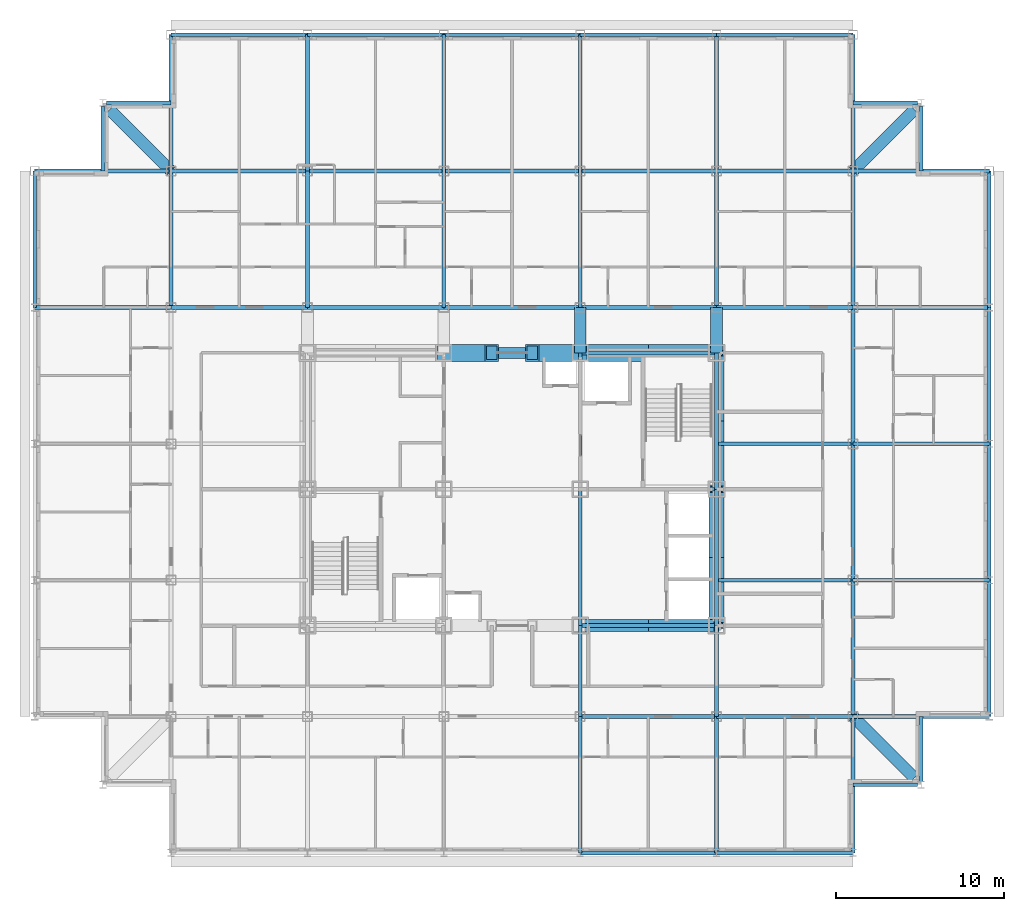
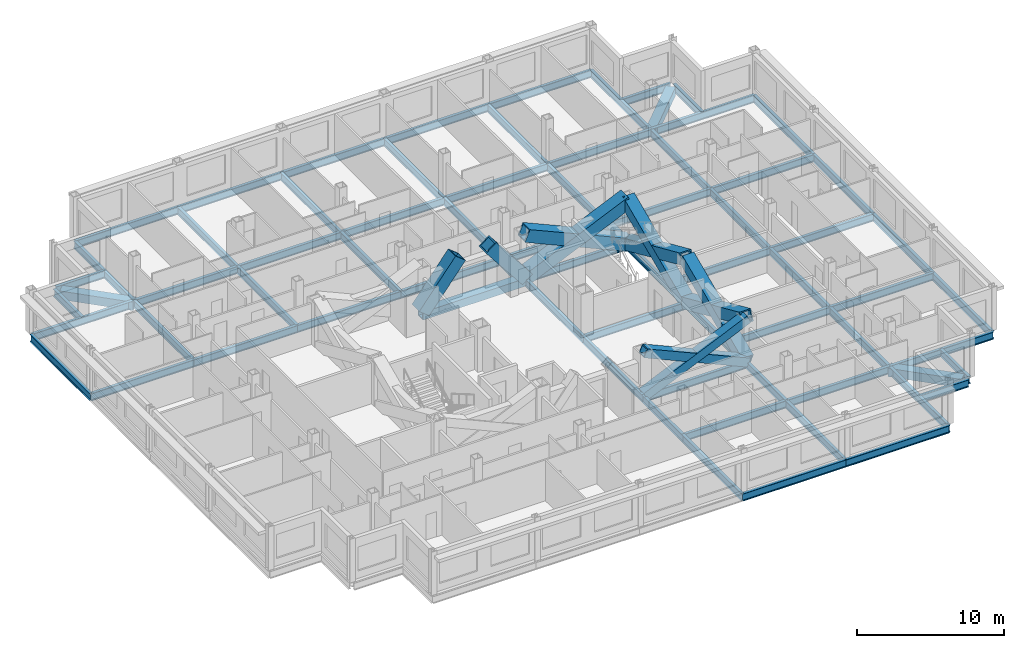
# One storey, part 2 of 12: 72 beams, 10 members.
"""IFC4 building model written with IfcOpenShell, lengths in metres."""

from ifc_helpers import new_model, si_unit, direction, frame, origin, origin_2d, place, context, subcontext, project, spatial, hollow_rectangle, i_section, extrude, material, material_profile, profile_set, type_object, element, save


model = new_model("IFC4")

# Units and contexts
model_context = context("Model", 3, precision=1e-05, world=origin(), true_north=direction((0.0, 1.0)))
body_context = subcontext(model_context, "Body", "Model", "MODEL_VIEW")
ifc_project = project(units=[si_unit("LENGTHUNIT", "METRE"), si_unit("AREAUNIT", "SQUARE_METRE"), si_unit("VOLUMEUNIT", "CUBIC_METRE"), si_unit("PLANEANGLEUNIT", "RADIAN"), si_unit("MASSUNIT", "GRAM", prefix="KILO")], contexts=[model_context])

# Site, building, storey
site_placement = place(None, origin())
site = spatial("IfcSite", under=ifc_project, at=site_placement, CompositionType="ELEMENT")
building_placement = place(site_placement, origin())
building = spatial("IfcBuilding", under=site, at=building_placement, Name="Kopane Lantern Tower", CompositionType="ELEMENT")
storey_placement = place(building_placement, frame((0.0, 0.0, 199.199951171875)))
storey = spatial("IfcBuildingStorey", under=building, at=storey_placement, Name="L51", CompositionType="ELEMENT", Elevation=199.199951171875)

# Members
ifc_material_1 = material(Name="Steel S355JR", Category="steel")
ifc_material_profile_1 = material_profile(ifc_material_1, hollow_rectangle(XDim=1.0, YDim=1.0, WallThickness=0.10009765625, at=origin_2d()), Name="BOX 1000x1000x100")
ifc_profile_set_1 = profile_set([ifc_material_profile_1], Name="Steel S355JR")
member_type_1 = type_object("IfcMemberType", Name="BRACE BOX 1000x1000x100", PredefinedType="BRACE", material=ifc_profile_set_1)
for number, where, z_axis, x_axis, name in (
    (1, (24.300048828125, 40.5, -0.2099609375), (0.620672981644, 0.0, 0.784069544018), (0.0, 1.0, 0.0), "Core brace L51"),
    (2, (32.39990234375, 40.5, -0.2099609375), (-0.620672981644, 0.0, 0.784069544018), (0.0, -1.0, 0.0), "Core brace L51"),
):
    element("IfcMember", number, at=place(storey_placement, frame(where, z_axis=z_axis, x_axis=x_axis)), inside=storey, type_object=member_type_1, Name=name, PredefinedType="BRACE", context=body_context, shape_type="SweptSolid", body=[
        extrude(hollow_rectangle(XDim=1.0, YDim=1.0, WallThickness=0.10009765625, at=origin_2d()), origin(), (0.0, 0.0, 1.0), 4.591552734375),
    ])
for number, where, z_axis, x_axis, name in (
    (3, (32.39990234375, 40.5, -0.2099609375), (0.913809277049, 0.0, 0.40614357705), (0.0, 1.0, 0.0), "Core brace L51"),
    (4, (40.5, 40.5, -0.2099609375), (-0.913809277049, 0.0, 0.40614357705), (0.0, -1.0, 0.0), "Core brace L51"),
):
    element("IfcMember", number, at=place(storey_placement, frame(where, z_axis=z_axis, x_axis=x_axis)), inside=storey, type_object=member_type_1, Name=name, PredefinedType="BRACE", context=body_context, shape_type="SweptSolid", body=[
        extrude(hollow_rectangle(XDim=1.0, YDim=1.0, WallThickness=0.10009765625, at=origin_2d()), origin(), (0.0, 0.0, 1.0), 8.864013671875),
    ])
ifc_material_2 = material(Name="Steel S355JR", Category="steel")
ifc_material_profile_2 = material_profile(ifc_material_2, hollow_rectangle(XDim=0.699951171875, YDim=0.699951171875, WallThickness=0.06005859375, at=origin_2d()), Name="BOX 700x700x60")
ifc_profile_set_2 = profile_set([ifc_material_profile_2], Name="Steel S355JR")
member_type_2 = type_object("IfcMemberType", Name="BRACE BOX 700x700x60", PredefinedType="BRACE", material=ifc_profile_set_2)
for number, where, z_axis, x_axis, name in (
    (5, (32.39990234375, 24.300048828125, -0.2099609375), (0.913809277049, 0.0, 0.40614357705), (0.0, 1.0, 0.0), "Core brace L51"),
    (6, (40.5, 24.300048828125, -0.2099609375), (-0.913809277049, 0.0, 0.40614357705), (0.0, -1.0, 0.0), "Core brace L51"),
):
    element("IfcMember", number, at=place(storey_placement, frame(where, z_axis=z_axis, x_axis=x_axis)), inside=storey, type_object=member_type_2, Name=name, PredefinedType="BRACE", context=body_context, shape_type="SweptSolid", body=[
        extrude(hollow_rectangle(XDim=0.699951171875, YDim=0.699951171875, WallThickness=0.06005859375, at=origin_2d()), origin(), (0.0, 0.0, 1.0), 8.864013671875),
    ])
ifc_material_3 = material(Name="Steel S355JR", Category="steel")
ifc_material_profile_3 = material_profile(ifc_material_3, hollow_rectangle(XDim=0.89990234375, YDim=0.89990234375, WallThickness=0.090087890625, at=origin_2d()), Name="BOX 900x900x90")
ifc_profile_set_3 = profile_set([ifc_material_profile_3], Name="Steel S355JR")
member_type_3 = type_object("IfcMemberType", Name="BRACE BOX 900x900x90", PredefinedType="BRACE", material=ifc_profile_set_3)
for number, where, z_axis, x_axis, name in (
    (7, (40.5, 24.300048828125, -0.2099609375), (0.0, 0.91380473365, 0.406153799391), (-1.0, 0.0, 0.0), "Core brace L51"),
    (8, (40.5, 32.39990234375, -0.2099609375), (0.0, -0.91380473365, 0.406153799391), (1.0, 0.0, 0.0), "Core brace L51"),
):
    element("IfcMember", number, at=place(storey_placement, frame(where, z_axis=z_axis, x_axis=x_axis)), inside=storey, type_object=member_type_3, Name=name, PredefinedType="BRACE", context=body_context, shape_type="SweptSolid", body=[
        extrude(hollow_rectangle(XDim=0.89990234375, YDim=0.89990234375, WallThickness=0.090087890625, at=origin_2d()), origin(), (0.0, 0.0, 1.0), 8.86376953125),
    ])
for number, where, z_axis, x_axis, name in (
    (9, (40.5, 32.39990234375, -0.2099609375), (0.0, 0.913809277049, 0.40614357705), (-1.0, 0.0, 0.0), "Core brace L51"),
    (10, (40.5, 40.5, -0.2099609375), (0.0, -0.913809277049, 0.40614357705), (1.0, 0.0, 0.0), "Core brace L51"),
):
    element("IfcMember", number, at=place(storey_placement, frame(where, z_axis=z_axis, x_axis=x_axis)), inside=storey, type_object=member_type_3, Name=name, PredefinedType="BRACE", context=body_context, shape_type="SweptSolid", body=[
        extrude(hollow_rectangle(XDim=0.89990234375, YDim=0.89990234375, WallThickness=0.090087890625, at=origin_2d()), origin(), (0.0, 0.0, 1.0), 8.864013671875),
    ])

# Beams
ifc_material_4 = material(Name="Steel S355JR", Category="steel")
ifc_material_profile_4 = material_profile(ifc_material_4, i_section(OverallWidth=0.22900390625, OverallDepth=0.6123046875, WebThickness=0.011962890625, FlangeThickness=0.01953125, FilletRadius=0.0126953125, at=origin_2d()), Name="UB 610x229x125")
ifc_profile_set_4 = profile_set([ifc_material_profile_4], Name="Steel S355JR")
beam_type_1 = type_object("IfcBeamType", Name="CORE BEAM UB 610x229x125", PredefinedType="BEAM", material=ifc_profile_set_4)
beam_1_placement = place(storey_placement, frame((32.39990234375, 24.300048828125, -0.51611328125), z_axis=(0.0, 1.0, 0.0), x_axis=(-1.0, 0.0, 0.0)))
element("IfcBeam", 11, at=beam_1_placement, inside=storey, type_object=beam_type_1, Name="Core Beam L51", PredefinedType="BEAM", context=body_context, shape_type="SweptSolid", body=[
    extrude(i_section(OverallWidth=0.22900390625, OverallDepth=0.6123046875, WebThickness=0.011962890625, FlangeThickness=0.01953125, FilletRadius=0.0126953125, at=origin_2d()), origin(), (0.0, 0.0, 1.0), 8.099853515625),
])
for number, where, z_axis, x_axis, name in (
    (12, (32.39990234375, 32.39990234375, -0.51611328125), (0.0, 1.0, 0.0), (-1.0, 0.0, 0.0), "Core Beam L51"),
    (13, (32.39990234375, 32.39990234375, -0.51611328125), (1.0, 0.0, 0.0), (0.0, 1.0, 0.0), "Core Beam L51"),
):
    element("IfcBeam", number, at=place(storey_placement, frame(where, z_axis=z_axis, x_axis=x_axis)), inside=storey, type_object=beam_type_1, Name=name, PredefinedType="BEAM", context=body_context, shape_type="SweptSolid", body=[
        extrude(i_section(OverallWidth=0.22900390625, OverallDepth=0.6123046875, WebThickness=0.011962890625, FlangeThickness=0.01953125, FilletRadius=0.0126953125, at=origin_2d()), origin(), (0.0, 0.0, 1.0), 8.10009765625),
    ])
ifc_material_5 = material(Name="Steel S355JR", Category="steel")
ifc_material_profile_5 = material_profile(ifc_material_5, hollow_rectangle(XDim=0.699951171875, YDim=0.699951171875, WallThickness=0.06005859375, at=origin_2d()), Name="BOX 700x700x60")
ifc_profile_set_5 = profile_set([ifc_material_profile_5], Name="Steel S355JR")
beam_type_2 = type_object("IfcBeamType", Name="CORNER TIE BEAM BOX 700x700x60", PredefinedType="BEAM", material=ifc_profile_set_5)
for number, where, z_axis, x_axis, name in (
    (14, (4.447509765625, 54.952392578125, -0.56005859375), (0.70713041325, -0.707083148333, 0.0), (0.707083148333, 0.70713041325, 0.0), "Corner Tie Beam L51"),
    (15, (52.25244140625, 15.24755859375, -0.56005859375), (-0.707106781187, 0.707106781187, 0.0), (-0.707106781187, -0.707106781187, 0.0), "Corner Tie Beam L51"),
    (16, (52.25244140625, 54.952392578125, -0.56005859375), (-0.707106781187, -0.707106781187, 0.0), (0.707106781187, -0.707106781187, 0.0), "Corner Tie Beam L51"),
):
    element("IfcBeam", number, at=place(storey_placement, frame(where, z_axis=z_axis, x_axis=x_axis)), inside=storey, type_object=beam_type_2, Name=name, PredefinedType="BEAM", context=body_context, shape_type="SweptSolid", body=[
        extrude(hollow_rectangle(XDim=0.699951171875, YDim=0.699951171875, WallThickness=0.06005859375, at=origin_2d()), origin(), (0.0, 0.0, 1.0), 5.165283203125),
    ])
ifc_material_6 = material(Name="Steel S355JR", Category="steel")
ifc_material_profile_6 = material_profile(ifc_material_6, i_section(OverallWidth=0.22900390625, OverallDepth=0.6123046875, WebThickness=0.011962890625, FlangeThickness=0.01953125, FilletRadius=0.0126953125, at=origin_2d()), Name="UB 610x229x125")
ifc_profile_set_6 = profile_set([ifc_material_profile_6], Name="Steel S355JR")
beam_type_3 = type_object("IfcBeamType", Name="EDGE BEAM UB 610x229x125", PredefinedType="BEAM", material=ifc_profile_set_6)
beam_2_placement = place(storey_placement, frame((4.050048828125, 55.146484375, -0.51611328125), z_axis=(0.0, -1.0, 0.0), x_axis=(1.0, 0.0, 0.0)))
element("IfcBeam", 17, at=beam_2_placement, inside=storey, type_object=beam_type_3, Name="Edge Beam L51", PredefinedType="BEAM", context=body_context, shape_type="SweptSolid", body=[
    extrude(i_section(OverallWidth=0.22900390625, OverallDepth=0.6123046875, WebThickness=0.011962890625, FlangeThickness=0.01953125, FilletRadius=0.0126953125, at=origin_2d()), origin(), (0.0, 0.0, 1.0), 3.846435546875),
])
beam_3_placement = place(storey_placement, frame((4.25341796875, 55.35009765625, -0.51611328125), z_axis=(1.0, 0.0, 0.0), x_axis=(0.0, 1.0, 0.0)))
element("IfcBeam", 18, at=beam_3_placement, inside=storey, type_object=beam_type_3, Name="Edge Beam L51", PredefinedType="BEAM", context=body_context, shape_type="SweptSolid", body=[
    extrude(i_section(OverallWidth=0.22900390625, OverallDepth=0.6123046875, WebThickness=0.011962890625, FlangeThickness=0.01953125, FilletRadius=0.0126953125, at=origin_2d()), origin(), (0.0, 0.0, 1.0), 3.8466796875),
])
for number, where, z_axis, x_axis, name in (
    (19, (52.446533203125, 14.85009765625, -0.51611328125), (-1.0, 0.0, 0.0), (0.0, -1.0, 0.0), "Edge Beam L51"),
    (20, (52.446533203125, 55.35009765625, -0.51611328125), (-1.0, 0.0, 0.0), (0.0, -1.0, 0.0), "Edge Beam L51"),
    (21, (52.64990234375, 15.053466796875, -0.51611328125), (0.0, 1.0, 0.0), (-1.0, 0.0, 0.0), "Edge Beam L51"),
    (22, (52.64990234375, 55.146484375, -0.51611328125), (0.0, -1.0, 0.0), (1.0, 0.0, 0.0), "Edge Beam L51"),
):
    element("IfcBeam", number, at=place(storey_placement, frame(where, z_axis=z_axis, x_axis=x_axis)), inside=storey, type_object=beam_type_3, Name=name, PredefinedType="BEAM", context=body_context, shape_type="SweptSolid", body=[
        extrude(i_section(OverallWidth=0.22900390625, OverallDepth=0.6123046875, WebThickness=0.011962890625, FlangeThickness=0.01953125, FilletRadius=0.0126953125, at=origin_2d()), origin(), (0.0, 0.0, 1.0), 3.846435546875),
    ])
ifc_material_7 = material(Name="Steel S355JR", Category="steel")
ifc_material_profile_7 = material_profile(ifc_material_7, hollow_rectangle(XDim=0.699951171875, YDim=0.699951171875, WallThickness=0.06005859375, at=origin_2d()), Name="BOX 700x700x60")
ifc_profile_set_7 = profile_set([ifc_material_profile_7], Name="Steel S355JR")
beam_type_4 = type_object("IfcBeamType", Name="GIRDER BOX 700x700x60", PredefinedType="BEAM", material=ifc_profile_set_7)
for number, where, z_axis, x_axis, name in (
    (23, (32.39990234375, 40.5, -0.56005859375), (0.0, 1.0, 0.0), (-1.0, 0.0, 0.0), "Girder L51"),
    (24, (40.5, 40.5, -0.56005859375), (0.0, 1.0, 0.0), (-1.0, 0.0, 0.0), "Girder L51"),
):
    element("IfcBeam", number, at=place(storey_placement, frame(where, z_axis=z_axis, x_axis=x_axis)), inside=storey, type_object=beam_type_4, Name=name, PredefinedType="BEAM", context=body_context, shape_type="SweptSolid", body=[
        extrude(hollow_rectangle(XDim=0.699951171875, YDim=0.699951171875, WallThickness=0.06005859375, at=origin_2d()), origin(), (0.0, 0.0, 1.0), 2.699951171875),
    ])
ifc_material_8 = material(Name="Steel S355JR", Category="steel")
ifc_material_profile_8 = material_profile(ifc_material_8, i_section(OverallWidth=0.22900390625, OverallDepth=0.6123046875, WebThickness=0.011962890625, FlangeThickness=0.01953125, FilletRadius=0.0126953125, at=origin_2d()), Name="UB 610x229x125")
ifc_profile_set_8 = profile_set([ifc_material_profile_8], Name="Steel S355JR")
beam_type_5 = type_object("IfcBeamType", Name="GIRDER UB 610x229x125", PredefinedType="BEAM", material=ifc_profile_set_8)
for number, where, z_axis, x_axis, name in (
    (25, (0.0, 43.199951171875, -0.51611328125), (0.0, 1.0, 0.0), (-1.0, 0.0, 0.0), "Girder L51"),
    (26, (0.0, 43.199951171875, -0.51611328125), (1.0, 0.0, 0.0), (0.0, 1.0, 0.0), "Girder L51"),
    (27, (0.0, 51.300048828125, -0.51611328125), (1.0, 0.0, 0.0), (0.0, 1.0, 0.0), "Girder L51"),
    (28, (8.10009765625, 43.199951171875, -0.51611328125), (0.0, 1.0, 0.0), (-1.0, 0.0, 0.0), "Girder L51"),
):
    element("IfcBeam", number, at=place(storey_placement, frame(where, z_axis=z_axis, x_axis=x_axis)), inside=storey, type_object=beam_type_5, Name=name, PredefinedType="BEAM", context=body_context, shape_type="SweptSolid", body=[
        extrude(i_section(OverallWidth=0.22900390625, OverallDepth=0.6123046875, WebThickness=0.011962890625, FlangeThickness=0.01953125, FilletRadius=0.0126953125, at=origin_2d()), origin(), (0.0, 0.0, 1.0), 8.10009765625),
    ])
for number, where, z_axis, x_axis, name in (
    (29, (8.10009765625, 43.199951171875, -0.51611328125), (1.0, 0.0, 0.0), (0.0, 1.0, 0.0), "Girder L51"),
    (30, (8.10009765625, 51.300048828125, -0.51611328125), (0.0, 1.0, 0.0), (-1.0, 0.0, 0.0), "Girder L51"),
    (31, (8.10009765625, 51.300048828125, -0.51611328125), (1.0, 0.0, 0.0), (0.0, 1.0, 0.0), "Girder L51"),
    (32, (8.10009765625, 59.39990234375, -0.51611328125), (1.0, 0.0, 0.0), (0.0, 1.0, 0.0), "Girder L51"),
):
    element("IfcBeam", number, at=place(storey_placement, frame(where, z_axis=z_axis, x_axis=x_axis)), inside=storey, type_object=beam_type_5, Name=name, PredefinedType="BEAM", context=body_context, shape_type="SweptSolid", body=[
        extrude(i_section(OverallWidth=0.22900390625, OverallDepth=0.6123046875, WebThickness=0.011962890625, FlangeThickness=0.01953125, FilletRadius=0.0126953125, at=origin_2d()), origin(), (0.0, 0.0, 1.0), 8.099853515625),
    ])
for number, where, z_axis, x_axis, name in (
    (33, (16.199951171875, 43.199951171875, -0.51611328125), (0.0, 1.0, 0.0), (-1.0, 0.0, 0.0), "Girder L51"),
    (34, (16.199951171875, 43.199951171875, -0.51611328125), (1.0, 0.0, 0.0), (0.0, 1.0, 0.0), "Girder L51"),
):
    element("IfcBeam", number, at=place(storey_placement, frame(where, z_axis=z_axis, x_axis=x_axis)), inside=storey, type_object=beam_type_5, Name=name, PredefinedType="BEAM", context=body_context, shape_type="SweptSolid", body=[
        extrude(i_section(OverallWidth=0.22900390625, OverallDepth=0.6123046875, WebThickness=0.011962890625, FlangeThickness=0.01953125, FilletRadius=0.0126953125, at=origin_2d()), origin(), (0.0, 0.0, 1.0), 8.10009765625),
    ])
beam_4_placement = place(storey_placement, frame((16.199951171875, 51.300048828125, -0.51611328125), z_axis=(0.0, 1.0, 0.0), x_axis=(-1.0, 0.0, 0.0)))
element("IfcBeam", 35, at=beam_4_placement, inside=storey, type_object=beam_type_5, Name="Girder L51", PredefinedType="BEAM", context=body_context, shape_type="SweptSolid", body=[
    extrude(i_section(OverallWidth=0.22900390625, OverallDepth=0.6123046875, WebThickness=0.011962890625, FlangeThickness=0.01953125, FilletRadius=0.0126953125, at=origin_2d()), origin(), (0.0, 0.0, 1.0), 8.099853515625),
])
for number, where, z_axis, x_axis, name in (
    (36, (16.199951171875, 51.300048828125, -0.51611328125), (1.0, 0.0, 0.0), (0.0, 1.0, 0.0), "Girder L51"),
    (37, (16.199951171875, 59.39990234375, -0.51611328125), (1.0, 0.0, 0.0), (0.0, 1.0, 0.0), "Girder L51"),
    (38, (24.300048828125, 43.199951171875, -0.51611328125), (0.0, 1.0, 0.0), (-1.0, 0.0, 0.0), "Girder L51"),
):
    element("IfcBeam", number, at=place(storey_placement, frame(where, z_axis=z_axis, x_axis=x_axis)), inside=storey, type_object=beam_type_5, Name=name, PredefinedType="BEAM", context=body_context, shape_type="SweptSolid", body=[
        extrude(i_section(OverallWidth=0.22900390625, OverallDepth=0.6123046875, WebThickness=0.011962890625, FlangeThickness=0.01953125, FilletRadius=0.0126953125, at=origin_2d()), origin(), (0.0, 0.0, 1.0), 8.10009765625),
    ])
for number, where, z_axis, x_axis, name in (
    (39, (24.300048828125, 43.199951171875, -0.51611328125), (1.0, 0.0, 0.0), (0.0, 1.0, 0.0), "Girder L51"),
    (40, (24.300048828125, 51.300048828125, -0.51611328125), (0.0, 1.0, 0.0), (-1.0, 0.0, 0.0), "Girder L51"),
    (41, (24.300048828125, 51.300048828125, -0.51611328125), (1.0, 0.0, 0.0), (0.0, 1.0, 0.0), "Girder L51"),
    (42, (24.300048828125, 59.39990234375, -0.51611328125), (1.0, 0.0, 0.0), (0.0, 1.0, 0.0), "Girder L51"),
    (43, (32.39990234375, 10.800048828125, -0.51611328125), (0.0, 1.0, 0.0), (-1.0, 0.0, 0.0), "Girder L51"),
):
    element("IfcBeam", number, at=place(storey_placement, frame(where, z_axis=z_axis, x_axis=x_axis)), inside=storey, type_object=beam_type_5, Name=name, PredefinedType="BEAM", context=body_context, shape_type="SweptSolid", body=[
        extrude(i_section(OverallWidth=0.22900390625, OverallDepth=0.6123046875, WebThickness=0.011962890625, FlangeThickness=0.01953125, FilletRadius=0.0126953125, at=origin_2d()), origin(), (0.0, 0.0, 1.0), 8.099853515625),
    ])
beam_5_placement = place(storey_placement, frame((32.39990234375, 10.800048828125, -0.51611328125), z_axis=(1.0, 0.0, 0.0), x_axis=(0.0, 1.0, 0.0)))
element("IfcBeam", 44, at=beam_5_placement, inside=storey, type_object=beam_type_5, Name="Girder L51", PredefinedType="BEAM", context=body_context, shape_type="SweptSolid", body=[
    extrude(i_section(OverallWidth=0.22900390625, OverallDepth=0.6123046875, WebThickness=0.011962890625, FlangeThickness=0.01953125, FilletRadius=0.0126953125, at=origin_2d()), origin(), (0.0, 0.0, 1.0), 8.10009765625),
])
beam_6_placement = place(storey_placement, frame((32.39990234375, 18.89990234375, -0.51611328125), z_axis=(0.0, 1.0, 0.0), x_axis=(-1.0, 0.0, 0.0)))
element("IfcBeam", 45, at=beam_6_placement, inside=storey, type_object=beam_type_5, Name="Girder L51", PredefinedType="BEAM", context=body_context, shape_type="SweptSolid", body=[
    extrude(i_section(OverallWidth=0.22900390625, OverallDepth=0.6123046875, WebThickness=0.011962890625, FlangeThickness=0.01953125, FilletRadius=0.0126953125, at=origin_2d()), origin(), (0.0, 0.0, 1.0), 5.400146484375),
])
for number, where, z_axis, x_axis, name in (
    (46, (32.39990234375, 18.89990234375, -0.51611328125), (1.0, 0.0, 0.0), (0.0, 1.0, 0.0), "Girder L51"),
    (47, (32.39990234375, 24.300048828125, -0.51611328125), (1.0, 0.0, 0.0), (0.0, 1.0, 0.0), "Girder L51"),
    (48, (32.39990234375, 40.5, -0.51611328125), (1.0, 0.0, 0.0), (0.0, 1.0, 0.0), "Girder L51"),
    (49, (32.39990234375, 43.199951171875, -0.51611328125), (0.0, 1.0, 0.0), (-1.0, 0.0, 0.0), "Girder L51"),
    (50, (32.39990234375, 43.199951171875, -0.51611328125), (1.0, 0.0, 0.0), (0.0, 1.0, 0.0), "Girder L51"),
):
    element("IfcBeam", number, at=place(storey_placement, frame(where, z_axis=z_axis, x_axis=x_axis)), inside=storey, type_object=beam_type_5, Name=name, PredefinedType="BEAM", context=body_context, shape_type="SweptSolid", body=[
        extrude(i_section(OverallWidth=0.22900390625, OverallDepth=0.6123046875, WebThickness=0.011962890625, FlangeThickness=0.01953125, FilletRadius=0.0126953125, at=origin_2d()), origin(), (0.0, 0.0, 1.0), 8.10009765625),
    ])
beam_7_placement = place(storey_placement, frame((32.39990234375, 51.300048828125, -0.51611328125), z_axis=(0.0, 1.0, 0.0), x_axis=(-1.0, 0.0, 0.0)))
element("IfcBeam", 51, at=beam_7_placement, inside=storey, type_object=beam_type_5, Name="Girder L51", PredefinedType="BEAM", context=body_context, shape_type="SweptSolid", body=[
    extrude(i_section(OverallWidth=0.22900390625, OverallDepth=0.6123046875, WebThickness=0.011962890625, FlangeThickness=0.01953125, FilletRadius=0.0126953125, at=origin_2d()), origin(), (0.0, 0.0, 1.0), 8.099853515625),
])
for number, where, z_axis, x_axis, name in (
    (52, (32.39990234375, 51.300048828125, -0.51611328125), (1.0, 0.0, 0.0), (0.0, 1.0, 0.0), "Girder L51"),
    (53, (32.39990234375, 59.39990234375, -0.51611328125), (1.0, 0.0, 0.0), (0.0, 1.0, 0.0), "Girder L51"),
):
    element("IfcBeam", number, at=place(storey_placement, frame(where, z_axis=z_axis, x_axis=x_axis)), inside=storey, type_object=beam_type_5, Name=name, PredefinedType="BEAM", context=body_context, shape_type="SweptSolid", body=[
        extrude(i_section(OverallWidth=0.22900390625, OverallDepth=0.6123046875, WebThickness=0.011962890625, FlangeThickness=0.01953125, FilletRadius=0.0126953125, at=origin_2d()), origin(), (0.0, 0.0, 1.0), 8.10009765625),
    ])
beam_8_placement = place(storey_placement, frame((40.5, 10.800048828125, -0.51611328125), z_axis=(0.0, 1.0, 0.0), x_axis=(-1.0, 0.0, 0.0)))
element("IfcBeam", 54, at=beam_8_placement, inside=storey, type_object=beam_type_5, Name="Girder L51", PredefinedType="BEAM", context=body_context, shape_type="SweptSolid", body=[
    extrude(i_section(OverallWidth=0.22900390625, OverallDepth=0.6123046875, WebThickness=0.011962890625, FlangeThickness=0.01953125, FilletRadius=0.0126953125, at=origin_2d()), origin(), (0.0, 0.0, 1.0), 8.099853515625),
])
beam_9_placement = place(storey_placement, frame((40.5, 10.800048828125, -0.51611328125), z_axis=(1.0, 0.0, 0.0), x_axis=(0.0, 1.0, 0.0)))
element("IfcBeam", 55, at=beam_9_placement, inside=storey, type_object=beam_type_5, Name="Girder L51", PredefinedType="BEAM", context=body_context, shape_type="SweptSolid", body=[
    extrude(i_section(OverallWidth=0.22900390625, OverallDepth=0.6123046875, WebThickness=0.011962890625, FlangeThickness=0.01953125, FilletRadius=0.0126953125, at=origin_2d()), origin(), (0.0, 0.0, 1.0), 8.10009765625),
])
beam_10_placement = place(storey_placement, frame((40.5, 18.89990234375, -0.51611328125), z_axis=(0.0, 1.0, 0.0), x_axis=(-1.0, 0.0, 0.0)))
element("IfcBeam", 56, at=beam_10_placement, inside=storey, type_object=beam_type_5, Name="Girder L51", PredefinedType="BEAM", context=body_context, shape_type="SweptSolid", body=[
    extrude(i_section(OverallWidth=0.22900390625, OverallDepth=0.6123046875, WebThickness=0.011962890625, FlangeThickness=0.01953125, FilletRadius=0.0126953125, at=origin_2d()), origin(), (0.0, 0.0, 1.0), 5.400146484375),
])
beam_11_placement = place(storey_placement, frame((40.5, 18.89990234375, -0.51611328125), z_axis=(1.0, 0.0, 0.0), x_axis=(0.0, 1.0, 0.0)))
element("IfcBeam", 57, at=beam_11_placement, inside=storey, type_object=beam_type_5, Name="Girder L51", PredefinedType="BEAM", context=body_context, shape_type="SweptSolid", body=[
    extrude(i_section(OverallWidth=0.22900390625, OverallDepth=0.6123046875, WebThickness=0.011962890625, FlangeThickness=0.01953125, FilletRadius=0.0126953125, at=origin_2d()), origin(), (0.0, 0.0, 1.0), 8.10009765625),
])
beam_12_placement = place(storey_placement, frame((40.5, 24.300048828125, -0.51611328125), z_axis=(0.0, 1.0, 0.0), x_axis=(-1.0, 0.0, 0.0)))
element("IfcBeam", 58, at=beam_12_placement, inside=storey, type_object=beam_type_5, Name="Girder L51", PredefinedType="BEAM", context=body_context, shape_type="SweptSolid", body=[
    extrude(i_section(OverallWidth=0.22900390625, OverallDepth=0.6123046875, WebThickness=0.011962890625, FlangeThickness=0.01953125, FilletRadius=0.0126953125, at=origin_2d()), origin(), (0.0, 0.0, 1.0), 8.099853515625),
])
for number, where, z_axis, x_axis, name in (
    (59, (40.5, 27.0, -0.51611328125), (1.0, 0.0, 0.0), (0.0, 1.0, 0.0), "Girder L51"),
    (60, (40.5, 32.39990234375, -0.51611328125), (0.0, 1.0, 0.0), (-1.0, 0.0, 0.0), "Girder L51"),
    (61, (40.5, 35.10009765625, -0.51611328125), (1.0, 0.0, 0.0), (0.0, 1.0, 0.0), "Girder L51"),
    (62, (40.5, 43.199951171875, -0.51611328125), (0.0, 1.0, 0.0), (-1.0, 0.0, 0.0), "Girder L51"),
    (63, (40.5, 43.199951171875, -0.51611328125), (1.0, 0.0, 0.0), (0.0, 1.0, 0.0), "Girder L51"),
):
    element("IfcBeam", number, at=place(storey_placement, frame(where, z_axis=z_axis, x_axis=x_axis)), inside=storey, type_object=beam_type_5, Name=name, PredefinedType="BEAM", context=body_context, shape_type="SweptSolid", body=[
        extrude(i_section(OverallWidth=0.22900390625, OverallDepth=0.6123046875, WebThickness=0.011962890625, FlangeThickness=0.01953125, FilletRadius=0.0126953125, at=origin_2d()), origin(), (0.0, 0.0, 1.0), 8.10009765625),
    ])
beam_13_placement = place(storey_placement, frame((40.5, 51.300048828125, -0.51611328125), z_axis=(0.0, 1.0, 0.0), x_axis=(-1.0, 0.0, 0.0)))
element("IfcBeam", 64, at=beam_13_placement, inside=storey, type_object=beam_type_5, Name="Girder L51", PredefinedType="BEAM", context=body_context, shape_type="SweptSolid", body=[
    extrude(i_section(OverallWidth=0.22900390625, OverallDepth=0.6123046875, WebThickness=0.011962890625, FlangeThickness=0.01953125, FilletRadius=0.0126953125, at=origin_2d()), origin(), (0.0, 0.0, 1.0), 8.099853515625),
])
for number, where, z_axis, x_axis, name in (
    (65, (40.5, 51.300048828125, -0.51611328125), (1.0, 0.0, 0.0), (0.0, 1.0, 0.0), "Girder L51"),
    (66, (40.5, 59.39990234375, -0.51611328125), (1.0, 0.0, 0.0), (0.0, 1.0, 0.0), "Girder L51"),
):
    element("IfcBeam", number, at=place(storey_placement, frame(where, z_axis=z_axis, x_axis=x_axis)), inside=storey, type_object=beam_type_5, Name=name, PredefinedType="BEAM", context=body_context, shape_type="SweptSolid", body=[
        extrude(i_section(OverallWidth=0.22900390625, OverallDepth=0.6123046875, WebThickness=0.011962890625, FlangeThickness=0.01953125, FilletRadius=0.0126953125, at=origin_2d()), origin(), (0.0, 0.0, 1.0), 8.10009765625),
    ])
beam_14_placement = place(storey_placement, frame((48.60009765625, 10.800048828125, -0.51611328125), z_axis=(0.0, 1.0, 0.0), x_axis=(-1.0, 0.0, 0.0)))
element("IfcBeam", 67, at=beam_14_placement, inside=storey, type_object=beam_type_5, Name="Girder L51", PredefinedType="BEAM", context=body_context, shape_type="SweptSolid", body=[
    extrude(i_section(OverallWidth=0.22900390625, OverallDepth=0.6123046875, WebThickness=0.011962890625, FlangeThickness=0.01953125, FilletRadius=0.0126953125, at=origin_2d()), origin(), (0.0, 0.0, 1.0), 8.099853515625),
])
beam_15_placement = place(storey_placement, frame((48.60009765625, 18.89990234375, -0.51611328125), z_axis=(0.0, 1.0, 0.0), x_axis=(-1.0, 0.0, 0.0)))
element("IfcBeam", 68, at=beam_15_placement, inside=storey, type_object=beam_type_5, Name="Girder L51", PredefinedType="BEAM", context=body_context, shape_type="SweptSolid", body=[
    extrude(i_section(OverallWidth=0.22900390625, OverallDepth=0.6123046875, WebThickness=0.011962890625, FlangeThickness=0.01953125, FilletRadius=0.0126953125, at=origin_2d()), origin(), (0.0, 0.0, 1.0), 8.10009765625),
])
beam_16_placement = place(storey_placement, frame((48.60009765625, 18.89990234375, -0.51611328125), z_axis=(1.0, 0.0, 0.0), x_axis=(0.0, 1.0, 0.0)))
element("IfcBeam", 69, at=beam_16_placement, inside=storey, type_object=beam_type_5, Name="Girder L51", PredefinedType="BEAM", context=body_context, shape_type="SweptSolid", body=[
    extrude(i_section(OverallWidth=0.22900390625, OverallDepth=0.6123046875, WebThickness=0.011962890625, FlangeThickness=0.01953125, FilletRadius=0.0126953125, at=origin_2d()), origin(), (0.0, 0.0, 1.0), 8.099853515625),
])
beam_17_placement = place(storey_placement, frame((48.60009765625, 27.0, -0.51611328125), z_axis=(0.0, 1.0, 0.0), x_axis=(-1.0, 0.0, 0.0)))
element("IfcBeam", 70, at=beam_17_placement, inside=storey, type_object=beam_type_5, Name="Girder L51", PredefinedType="BEAM", context=body_context, shape_type="SweptSolid", body=[
    extrude(i_section(OverallWidth=0.22900390625, OverallDepth=0.6123046875, WebThickness=0.011962890625, FlangeThickness=0.01953125, FilletRadius=0.0126953125, at=origin_2d()), origin(), (0.0, 0.0, 1.0), 8.10009765625),
])
for number, where, z_axis, x_axis, name in (
    (71, (48.60009765625, 27.0, -0.51611328125), (1.0, 0.0, 0.0), (0.0, 1.0, 0.0), "Girder L51"),
    (72, (48.60009765625, 35.10009765625, -0.51611328125), (0.0, 1.0, 0.0), (-1.0, 0.0, 0.0), "Girder L51"),
    (73, (48.60009765625, 35.10009765625, -0.51611328125), (1.0, 0.0, 0.0), (0.0, 1.0, 0.0), "Girder L51"),
):
    element("IfcBeam", number, at=place(storey_placement, frame(where, z_axis=z_axis, x_axis=x_axis)), inside=storey, type_object=beam_type_5, Name=name, PredefinedType="BEAM", context=body_context, shape_type="SweptSolid", body=[
        extrude(i_section(OverallWidth=0.22900390625, OverallDepth=0.6123046875, WebThickness=0.011962890625, FlangeThickness=0.01953125, FilletRadius=0.0126953125, at=origin_2d()), origin(), (0.0, 0.0, 1.0), 8.099853515625),
    ])
beam_18_placement = place(storey_placement, frame((48.60009765625, 43.199951171875, -0.51611328125), z_axis=(0.0, 1.0, 0.0), x_axis=(-1.0, 0.0, 0.0)))
element("IfcBeam", 74, at=beam_18_placement, inside=storey, type_object=beam_type_5, Name="Girder L51", PredefinedType="BEAM", context=body_context, shape_type="SweptSolid", body=[
    extrude(i_section(OverallWidth=0.22900390625, OverallDepth=0.6123046875, WebThickness=0.011962890625, FlangeThickness=0.01953125, FilletRadius=0.0126953125, at=origin_2d()), origin(), (0.0, 0.0, 1.0), 8.10009765625),
])
for number, where, z_axis, x_axis, name in (
    (75, (48.60009765625, 43.199951171875, -0.51611328125), (1.0, 0.0, 0.0), (0.0, 1.0, 0.0), "Girder L51"),
    (76, (48.60009765625, 51.300048828125, -0.51611328125), (0.0, 1.0, 0.0), (-1.0, 0.0, 0.0), "Girder L51"),
    (77, (48.60009765625, 51.300048828125, -0.51611328125), (1.0, 0.0, 0.0), (0.0, 1.0, 0.0), "Girder L51"),
):
    element("IfcBeam", number, at=place(storey_placement, frame(where, z_axis=z_axis, x_axis=x_axis)), inside=storey, type_object=beam_type_5, Name=name, PredefinedType="BEAM", context=body_context, shape_type="SweptSolid", body=[
        extrude(i_section(OverallWidth=0.22900390625, OverallDepth=0.6123046875, WebThickness=0.011962890625, FlangeThickness=0.01953125, FilletRadius=0.0126953125, at=origin_2d()), origin(), (0.0, 0.0, 1.0), 8.099853515625),
    ])
for number, where, z_axis, x_axis, name in (
    (78, (56.699951171875, 18.89990234375, -0.51611328125), (0.0, 1.0, 0.0), (-1.0, 0.0, 0.0), "Girder L51"),
    (79, (56.699951171875, 27.0, -0.51611328125), (0.0, 1.0, 0.0), (-1.0, 0.0, 0.0), "Girder L51"),
):
    element("IfcBeam", number, at=place(storey_placement, frame(where, z_axis=z_axis, x_axis=x_axis)), inside=storey, type_object=beam_type_5, Name=name, PredefinedType="BEAM", context=body_context, shape_type="SweptSolid", body=[
        extrude(i_section(OverallWidth=0.22900390625, OverallDepth=0.6123046875, WebThickness=0.011962890625, FlangeThickness=0.01953125, FilletRadius=0.0126953125, at=origin_2d()), origin(), (0.0, 0.0, 1.0), 8.10009765625),
    ])
beam_19_placement = place(storey_placement, frame((56.699951171875, 35.10009765625, -0.51611328125), z_axis=(0.0, 1.0, 0.0), x_axis=(-1.0, 0.0, 0.0)))
element("IfcBeam", 80, at=beam_19_placement, inside=storey, type_object=beam_type_5, Name="Girder L51", PredefinedType="BEAM", context=body_context, shape_type="SweptSolid", body=[
    extrude(i_section(OverallWidth=0.22900390625, OverallDepth=0.6123046875, WebThickness=0.011962890625, FlangeThickness=0.01953125, FilletRadius=0.0126953125, at=origin_2d()), origin(), (0.0, 0.0, 1.0), 8.099853515625),
])
beam_20_placement = place(storey_placement, frame((56.699951171875, 43.199951171875, -0.51611328125), z_axis=(0.0, 1.0, 0.0), x_axis=(-1.0, 0.0, 0.0)))
element("IfcBeam", 81, at=beam_20_placement, inside=storey, type_object=beam_type_5, Name="Girder L51", PredefinedType="BEAM", context=body_context, shape_type="SweptSolid", body=[
    extrude(i_section(OverallWidth=0.22900390625, OverallDepth=0.6123046875, WebThickness=0.011962890625, FlangeThickness=0.01953125, FilletRadius=0.0126953125, at=origin_2d()), origin(), (0.0, 0.0, 1.0), 8.10009765625),
])
ifc_material_9 = material(Name="Steel S355JR", Category="steel")
ifc_material_profile_9 = material_profile(ifc_material_9, hollow_rectangle(XDim=0.64990234375, YDim=0.64990234375, WallThickness=0.070068359375, at=origin_2d()), Name="BOX 650x650x70")
ifc_profile_set_9 = profile_set([ifc_material_profile_9], Name="Steel S355JR")
beam_type_6 = type_object("IfcBeamType", Name="LINK BEAM BOX 650x650x70", PredefinedType="BEAM", material=ifc_profile_set_9)
beam_21_placement = place(storey_placement, frame((24.300048828125, 40.5, -0.534912109375), z_axis=(1.0, 0.0, 0.0), x_axis=(0.0, 1.0, 0.0)))
element("IfcBeam", 82, at=beam_21_placement, inside=storey, type_object=beam_type_6, Name="Link Beam L51", PredefinedType="BEAM", context=body_context, shape_type="SweptSolid", body=[
    extrude(hollow_rectangle(XDim=0.64990234375, YDim=0.64990234375, WallThickness=0.070068359375, at=origin_2d()), origin(), (0.0, 0.0, 1.0), 8.099853515625),
])

save(model, "model.ifc")
